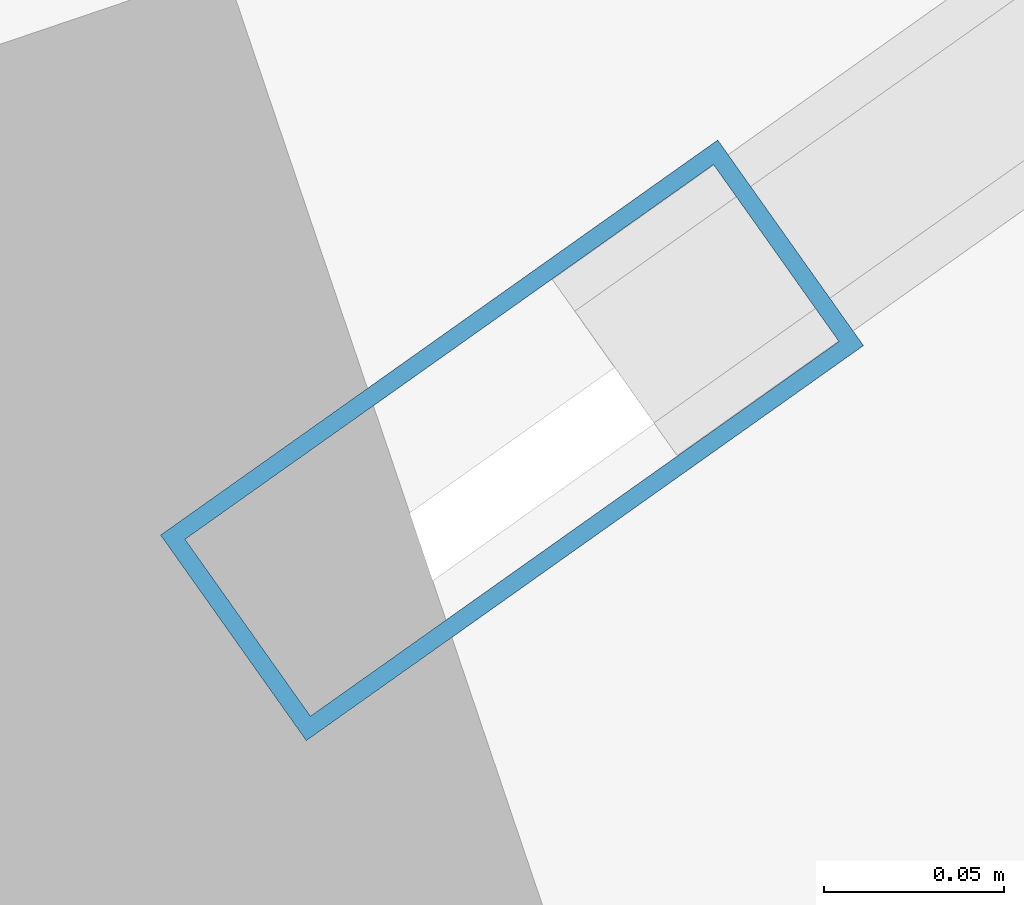
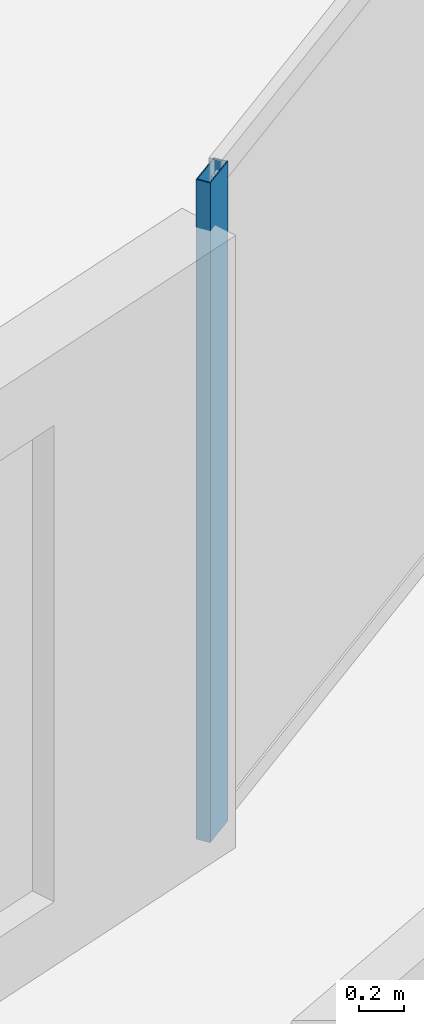
# One storey, part 7 of 25: 1 member, 1 element without a shape of its own.
"""IFC4 building model written with IfcOpenShell, lengths in metres."""

from ifc_helpers import new_model, si_unit, direction, frame, origin, origin_2d, place, context, subcontext, project, spatial, hollow_rectangle, extrude, source, transform, mapped, material, layer, layer_set, material_profile, profile_set, type_object, element, aggregate, save


model = new_model("IFC4")

# Units and contexts
model_context = context("Model", 3, precision=1e-05, world=origin(), true_north=direction((0.0, 1.0)))
body_context = subcontext(model_context, "Body", "Model", "MODEL_VIEW")
ifc_project = project(units=[si_unit("LENGTHUNIT", "METRE"), si_unit("AREAUNIT", "SQUARE_METRE"), si_unit("VOLUMEUNIT", "CUBIC_METRE"), si_unit("PLANEANGLEUNIT", "RADIAN"), si_unit("MASSUNIT", "GRAM", prefix="KILO")], contexts=[model_context])

# Site, building, storey
site_placement = place(None, origin())
site = spatial("IfcSite", under=ifc_project, at=site_placement, CompositionType="ELEMENT")
building_placement = place(site_placement, origin())
building = spatial("IfcBuilding", under=site, at=building_placement, Name="Solvirekh Grand Hotel", CompositionType="ELEMENT")
storey_placement = place(building_placement, frame((0.0, 0.0, 28.39990234375)))
storey = spatial("IfcBuildingStorey", under=building, at=storey_placement, Name="L05", CompositionType="ELEMENT", Elevation=28.39990234375)

# Curtain wall, member
ifc_material = material(Name="Anodized Bronze Aluminium 6063-T6", Category="aluminium")
ifc_layer = layer(ifc_material, 0.18994140625)
ifc_layer_set = layer_set([ifc_layer], Name="Anodized Bronze Aluminium 6063-T6")
curtain_wall_type = type_object("IfcCurtainWallType", Name="CW_Sys2_LowZoneFlushBronzeCW", PredefinedType="NOTDEFINED", material=ifc_layer_set)
curtain_wall_placement = place(storey_placement, origin())
curtain_wall = element("IfcCurtainWall", 1, at=curtain_wall_placement, inside=storey, type_object=curtain_wall_type, Name="L05 unitised bronze-glass curtain wall CW-L05-C18", PredefinedType="NOTDEFINED")
ifc_material_profile = material_profile(ifc_material, hollow_rectangle(XDim=0.070068359375, YDim=0.18994140625, WallThickness=0.0048828125, at=origin_2d()), Name="ALU RHS 190X70X5")
ifc_profile_set = profile_set([ifc_material_profile], Name="Anodized Bronze Aluminium 6063-T6")
member_type = type_object("IfcMemberType", Name="CWMullion_Sys2", PredefinedType="MULLION", material=ifc_profile_set)
shared_shape = source(origin(), body_context, "Body", "SweptSolid", [
    extrude(hollow_rectangle(XDim=0.070068359375, YDim=0.18994140625, WallThickness=0.0048828125, at=origin_2d()), origin(), (0.0, 0.0, 1.0), 3.60009765625),
])
member_placement = place(storey_placement, frame((15.821533203125, -18.80078125, 0.0), z_axis=(0.0, 0.0, 1.0), x_axis=(-0.578373813708, 0.815771862482, 0.0)))
member = element("IfcMember", 2, at=member_placement, type_object=member_type, Name="U02 mullion 1", PredefinedType="MULLION", context=body_context, shape_type="MappedRepresentation", body=[
    mapped(shared_shape, transform((0.0, 0.0, 0.0), x_axis=(1.0, 0.0, 0.0), y_axis=(0.0, 1.0, 0.0), z_axis=(0.0, 0.0, 1.0), scale=1.0)),
])
aggregate(curtain_wall, [member])

save(model, "model.ifc")
